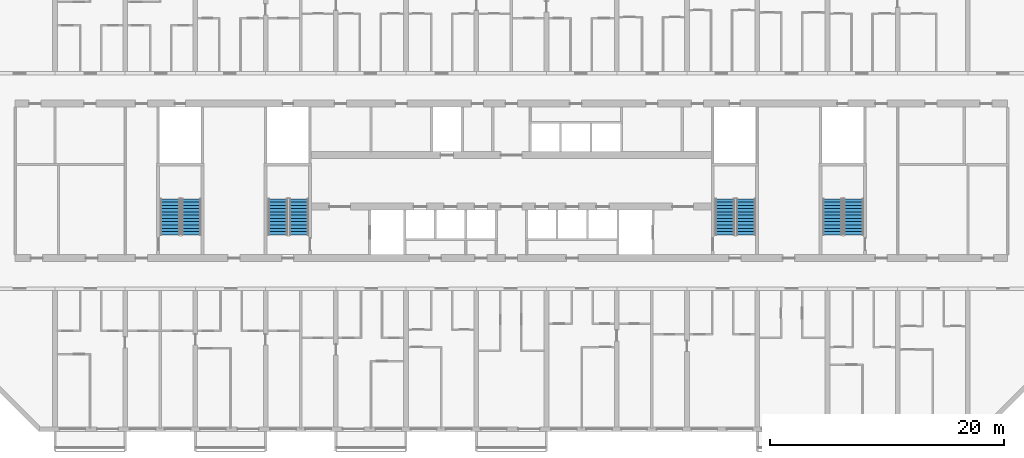
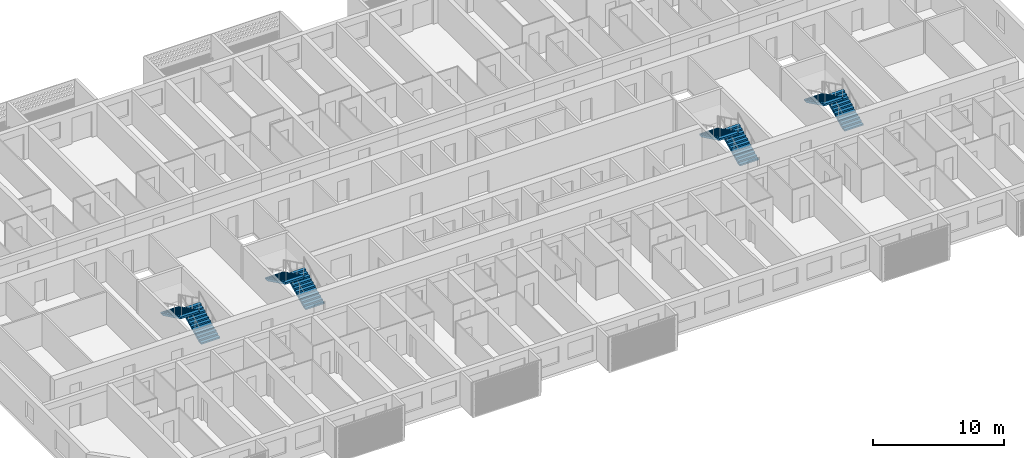
# One storey, part 17 of 39: 8 stair flights, 4 elements without a shape of their own.
"""IFC4 building model written with IfcOpenShell, lengths in metres."""

import ifcopenshell
import ifcopenshell.guid

model = None  # the IFC model being written
_history = None  # IfcOwnerHistory: only IFC2X3 demands one
_inside = {}  # id of a spatial element -> (the spatial element, [elements in it])
_under = {}  # id of a project, library or spatial element -> (it, [spatial elements below it])
_declared = {}  # id of a project -> (the project, [libraries it declares])
_typed = {}  # id of a type object -> (the type object, [elements of that type])
_made_of = {}  # id of a material, layer set ... -> (it, [elements and type objects made of it])


def new_model(schema):
    """Start an empty IFC model of exactly this schema.

    Asked for "IFC4X3", IfcOpenShell would pick the latest addendum, in which some entities
    have other attributes; the version numbers below select the first issue.
    IFC2X3 requires an IfcOwnerHistory on every rooted entity: one is made here for all.
    """
    global model, _history
    if schema == "IFC4X3":
        model = ifcopenshell.file(schema_version=(4, 3, 0, 0))
    else:
        model = ifcopenshell.file(schema=schema)
    _inside.clear()
    _under.clear()
    _declared.clear()
    _typed.clear()
    _made_of.clear()
    _history = None
    if model.schema == "IFC2X3":
        org = make("IfcOrganization", Name="unknown")
        user = make(
            "IfcPersonAndOrganization",
            ThePerson=make("IfcPerson", FamilyName="unknown"),
            TheOrganization=org,
        )
        app = make(
            "IfcApplication",
            ApplicationDeveloper=org,
            Version="unknown",
            ApplicationFullName="unknown",
            ApplicationIdentifier="unknown",
        )
        _history = make(
            "IfcOwnerHistory",
            OwningUser=user,
            OwningApplication=app,
            ChangeAction="ADDED",
            CreationDate=0,
        )
    return model


def make(cls, **values):
    """One entity of the class cls with the attributes given. An attribute that is None is left unset."""
    return model.create_entity(
        cls, **{name: value for name, value in values.items() if value is not None}
    )


def rooted(cls, **values):
    """An entity with a GlobalId (a new one), such as an element, a storey or a relation."""
    return make(cls, GlobalId=ifcopenshell.guid.new(), OwnerHistory=_history, **values)


def si_unit(unit_type, name, prefix=None):
    """IfcSIUnit, for example si_unit("LENGTHUNIT", "METRE", prefix="MILLI")."""
    return make("IfcSIUnit", UnitType=unit_type, Prefix=prefix, Name=name)


def assignment(units):
    """IfcUnitAssignment: the units of a project."""
    return None if units is None else make("IfcUnitAssignment", Units=units)


def point(xyz):
    """IfcCartesianPoint."""
    return None if xyz is None else make("IfcCartesianPoint", Coordinates=xyz)


def direction(xyz):
    """IfcDirection."""
    return None if xyz is None else make("IfcDirection", DirectionRatios=xyz)


def frame(location, z_axis=None, x_axis=None):
    """IfcAxis2Placement3D, a coordinate frame: its origin and axes. An axis left out is left unset."""
    return make(
        "IfcAxis2Placement3D",
        Location=point(location),
        Axis=direction(z_axis),
        RefDirection=direction(x_axis),
    )


def origin():
    """The frame at (0, 0, 0) with its axes left unset."""
    return frame((0.0, 0.0, 0.0))


def place(relative_to, where):
    """IfcLocalPlacement: puts the frame where relative to a parent placement (None: the world)."""
    return make(
        "IfcLocalPlacement", PlacementRelTo=relative_to, RelativePlacement=where
    )


def context(
    kind, dimensions, precision=None, world=None, true_north=None, identifier=None
):
    """IfcGeometricRepresentationContext, for example the 3D "Model" context."""
    return make(
        "IfcGeometricRepresentationContext",
        ContextIdentifier=identifier,
        ContextType=kind,
        CoordinateSpaceDimension=dimensions,
        Precision=precision,
        WorldCoordinateSystem=world,
        TrueNorth=true_north,
    )


def subcontext(parent, identifier, kind, view, scale=None):
    """IfcGeometricRepresentationSubContext, for example "Body" below "Model"."""
    return make(
        "IfcGeometricRepresentationSubContext",
        ContextIdentifier=identifier,
        ContextType=kind,
        ParentContext=parent,
        TargetScale=scale,
        TargetView=view,
    )


def project(units=None, contexts=None):
    """IfcProject with its units and contexts."""
    return rooted(
        "IfcProject",
        Name="project",
        RepresentationContexts=contexts,
        UnitsInContext=assignment(units),
    )


def spatial(cls, under=None, at=None, **own):
    """A site, building, storey or space (cls), placed at a placement, below another one or the project."""
    s = rooted(cls, ObjectPlacement=at, **own)
    if under is not None:
        _under.setdefault(under.id(), (under, []))[1].append(s)
    return s


def polyline(points):
    """IfcPolyline through the points."""
    return make("IfcPolyline", Points=[point(p) for p in points])


def outline(outer, holes=None, kind="AREA"):
    """IfcArbitraryClosedProfileDef: a profile drawn as a closed curve; with holes, ...WithVoids."""
    if holes is None:
        return make("IfcArbitraryClosedProfileDef", ProfileType=kind, OuterCurve=outer)
    return make(
        "IfcArbitraryProfileDefWithVoids",
        ProfileType=kind,
        OuterCurve=outer,
        InnerCurves=holes,
    )


def extrude(swept, where, along, depth):
    """IfcExtrudedAreaSolid: the profile swept, set in the frame where, extruded along a direction by depth."""
    return make(
        "IfcExtrudedAreaSolid",
        SweptArea=swept,
        Position=where,
        ExtrudedDirection=direction(along),
        Depth=depth,
    )


def shape(context_of_items, identifier, shape_type, items):
    """IfcShapeRepresentation: the items that make up one representation, for example the "Body"."""
    return make(
        "IfcShapeRepresentation",
        ContextOfItems=context_of_items,
        RepresentationIdentifier=identifier,
        RepresentationType=shape_type,
        Items=items,
    )


def material(Name=None, Category=None):
    """IfcMaterial."""
    return make("IfcMaterial", Name=Name, Category=Category)


def layer(
    of_material, thickness, ventilated=None, Name=None, Category=None, Priority=None
):
    """IfcMaterialLayer: one layer of a wall or slab, of a material (None: an air gap)."""
    return make(
        "IfcMaterialLayer",
        Material=of_material,
        LayerThickness=thickness,
        IsVentilated=ventilated,
        Name=Name,
        Category=Category,
        Priority=Priority,
    )


def layer_set(layers, Name=None):
    """IfcMaterialLayerSet."""
    return make("IfcMaterialLayerSet", MaterialLayers=layers, LayerSetName=Name)


def made_of(thing, what):
    """Note that an element or type object is made of a material, layer set ...; save() writes the relation."""
    if what is not None:
        _made_of.setdefault(what.id(), (what, []))[1].append(thing)
    return thing


def type_object(cls, material=None, **own):
    """A type object (cls), such as IfcWallType, which elements share."""
    return made_of(rooted(cls, **own), material)


def element(
    cls,
    number,
    at=None,
    inside=None,
    cuts=None,
    type_object=None,
    material=None,
    context=None,
    identifier="Body",
    shape_type=None,
    held_by="IfcProductDefinitionShape",
    body=None,
    shapes=None,
    **own,
):
    """One element of the class cls, such as IfcWall. Its Tag is "e" and its number.

    at: its placement. inside: the storey or other place that contains it. cuts: it is an
    opening in that element (IfcRelVoidsElement). A single representation is given by context,
    identifier, shape_type and body (its items); several are given by shapes. held_by: the class
    of the entity that holds the representations. save() writes the other relations.
    """
    e = rooted(cls, Tag="e%d" % number, ObjectPlacement=at, **own)
    if body is not None:
        shapes = [shape(context, identifier, shape_type, body)]
    if shapes is not None:
        e.Representation = make(held_by, Representations=shapes)
    if inside is not None:
        _inside.setdefault(inside.id(), (inside, []))[1].append(e)
    if cuts is not None:
        rooted(
            "IfcRelVoidsElement", RelatingBuildingElement=cuts, RelatedOpeningElement=e
        )
    if type_object is not None:
        _typed.setdefault(type_object.id(), (type_object, []))[1].append(e)
    return made_of(e, material)


def aggregate(whole, parts):
    """IfcRelAggregates: a whole, such as a stair, and the parts it consists of."""
    return rooted("IfcRelAggregates", RelatingObject=whole, RelatedObjects=parts)


def save(model, path):
    """Write the relations noted so far, then the file.

    IfcRelAggregates (storeys below a building ...), IfcRelContainedInSpatialStructure (elements
    in a storey), IfcRelDefinesByType, IfcRelAssociatesMaterial and IfcRelDeclares: one each for
    every whole, place, type object, material and project.
    """
    for whole, parts in _under.values():
        aggregate(whole, parts)
    for where, things in _inside.values():
        rooted(
            "IfcRelContainedInSpatialStructure",
            RelatedElements=things,
            RelatingStructure=where,
        )
    for kind, things in _typed.values():
        rooted("IfcRelDefinesByType", RelatedObjects=things, RelatingType=kind)
    for what, things in _made_of.values():
        rooted("IfcRelAssociatesMaterial", RelatedObjects=things, RelatingMaterial=what)
    for by, libraries in _declared.values():
        rooted("IfcRelDeclares", RelatingContext=by, RelatedDefinitions=libraries)
    model.write(path)


model = new_model("IFC4")

# Units and contexts
model_context = context("Model", 3, precision=1e-05, world=origin(), true_north=direction((0.0, 1.0)))
body_context = subcontext(model_context, "Body", "Model", "MODEL_VIEW")
ifc_project = project(units=[si_unit("LENGTHUNIT", "METRE"), si_unit("AREAUNIT", "SQUARE_METRE"), si_unit("VOLUMEUNIT", "CUBIC_METRE"), si_unit("PLANEANGLEUNIT", "RADIAN"), si_unit("MASSUNIT", "GRAM", prefix="KILO")], contexts=[model_context])

# Site, building, storey
site_placement = place(None, origin())
site = spatial("IfcSite", under=ifc_project, at=site_placement, CompositionType="ELEMENT")
building_placement = place(site_placement, origin())
building = spatial("IfcBuilding", under=site, at=building_placement, Name="Poui Terraces", CompositionType="ELEMENT")
storey_placement = place(building_placement, frame((0.0, 0.0, 59.699951171875)))
storey = spatial("IfcBuildingStorey", under=building, at=storey_placement, Name="L16", CompositionType="ELEMENT", Elevation=59.699951171875)

# Stair, stair flights
ifc_material = material(Name="Concrete 80 MPa", Category="concrete")
stair_type = type_object("IfcStairType", Name="EXIT STAIR 1650 80 MPA", PredefinedType="HALF_TURN_STAIR", material=ifc_material)
stair_1_placement = place(storey_placement, origin())
stair_1 = element("IfcStair", 1, at=stair_1_placement, inside=storey, type_object=stair_type, Name="L16 CORE STAIR EAST", PredefinedType="HALF_TURN_STAIR")
ifc_layer = layer(ifc_material, 0.14990234375)
ifc_layer_set = layer_set([ifc_layer], Name="Concrete 80 MPa")
stair_flight_type = type_object("IfcStairFlightType", Name="STAIR FLIGHT 12 RISERS 138 RISE 80 MPA", PredefinedType="STRAIGHT", material=ifc_layer_set)
stair_flight_1_placement = place(storey_placement, frame((71.050048828125, 16.60009765625, 0.0), z_axis=(0.0, 0.0, 1.0), x_axis=(0.0, 1.0, 0.0)))
stair_flight_1 = element("IfcStairFlight", 2, at=stair_flight_1_placement, type_object=stair_flight_type, Name="ST-CE flight 1", NumberOfRisers=12, NumberOfTreads=11, PredefinedType="STRAIGHT", RiserHeight=0.1375, TreadLength=0.28, context=body_context, shape_type="SweptSolid", body=[
    extrude(outline(polyline([(0.0, 0.0), (0.0, 0.137451171875), (0.280029296875, 0.137451171875), (0.280029296875, 0.27490234375), (0.56005859375, 0.27490234375), (0.56005859375, 0.41259765625), (0.840087890625, 0.41259765625), (0.840087890625, 0.550048828125), (1.1201171875, 0.550048828125), (1.1201171875, 0.6875), (1.39990234375, 0.6875), (1.39990234375, 0.824951171875), (1.679931640625, 0.824951171875), (1.679931640625, 0.96240234375), (1.9599609375, 0.96240234375), (1.9599609375, 1.10009765625), (2.239990234375, 1.10009765625), (2.239990234375, 1.237548828125), (2.52001953125, 1.237548828125), (2.52001953125, 1.375), (2.800048828125, 1.375), (2.800048828125, 1.512451171875), (3.080078125, 1.512451171875), (3.080078125, 1.64990234375), (3.080078125, 1.345458984375), (0.340087890625, 0.0), (0.0, 0.0)])), frame((0.0, 0.824951171875, 0.0), z_axis=(0.0, -1.0, 0.0), x_axis=(1.0, 0.0, 0.0)), (0.0, 0.0, 1.0), 1.64990234375),
])
stair_flight_2_placement = place(storey_placement, frame((69.25, 19.679931640625, 1.650146484375), z_axis=(0.0, 0.0, 1.0), x_axis=(0.0, -1.0, 0.0)))
stair_flight_2 = element("IfcStairFlight", 3, at=stair_flight_2_placement, type_object=stair_flight_type, Name="ST-CE flight 2", NumberOfRisers=12, NumberOfTreads=11, PredefinedType="STRAIGHT", RiserHeight=0.1375, TreadLength=0.28, context=body_context, shape_type="SweptSolid", body=[
    extrude(outline(polyline([(0.0, 0.0), (0.0, 0.137451171875), (0.280029296875, 0.137451171875), (0.280029296875, 0.27490234375), (0.56005859375, 0.27490234375), (0.56005859375, 0.41259765625), (0.840087890625, 0.41259765625), (0.840087890625, 0.550048828125), (1.1201171875, 0.550048828125), (1.1201171875, 0.6875), (1.39990234375, 0.6875), (1.39990234375, 0.824951171875), (1.679931640625, 0.824951171875), (1.679931640625, 0.96240234375), (1.9599609375, 0.96240234375), (1.9599609375, 1.10009765625), (2.239990234375, 1.10009765625), (2.239990234375, 1.237548828125), (2.52001953125, 1.237548828125), (2.52001953125, 1.375), (2.800048828125, 1.375), (2.800048828125, 1.512451171875), (3.080078125, 1.512451171875), (3.080078125, 1.64990234375), (3.080078125, 1.345458984375), (0.340087890625, 0.0), (0.0, 0.0)])), frame((0.0, 0.824951171875, 0.0), z_axis=(0.0, -1.0, 0.0), x_axis=(1.0, 0.0, 0.0)), (0.0, 0.0, 1.0), 1.64990234375),
])
aggregate(stair_1, [stair_flight_1, stair_flight_2])

stair_2_placement = place(storey_placement, origin())
stair_2 = element("IfcStair", 4, at=stair_2_placement, inside=storey, type_object=stair_type, Name="L16 CORE STAIR WEST", PredefinedType="HALF_TURN_STAIR")
stair_flight_3_placement = place(storey_placement, frame((32.85009765625, 16.60009765625, 0.0), z_axis=(0.0, 0.0, 1.0), x_axis=(0.0, 1.0, 0.0)))
stair_flight_3 = element("IfcStairFlight", 5, at=stair_flight_3_placement, type_object=stair_flight_type, Name="ST-CW flight 1", NumberOfRisers=12, NumberOfTreads=11, PredefinedType="STRAIGHT", RiserHeight=0.1375, TreadLength=0.28, context=body_context, shape_type="SweptSolid", body=[
    extrude(outline(polyline([(0.0, 0.0), (0.0, 0.137451171875), (0.280029296875, 0.137451171875), (0.280029296875, 0.27490234375), (0.56005859375, 0.27490234375), (0.56005859375, 0.41259765625), (0.840087890625, 0.41259765625), (0.840087890625, 0.550048828125), (1.1201171875, 0.550048828125), (1.1201171875, 0.6875), (1.39990234375, 0.6875), (1.39990234375, 0.824951171875), (1.679931640625, 0.824951171875), (1.679931640625, 0.96240234375), (1.9599609375, 0.96240234375), (1.9599609375, 1.10009765625), (2.239990234375, 1.10009765625), (2.239990234375, 1.237548828125), (2.52001953125, 1.237548828125), (2.52001953125, 1.375), (2.800048828125, 1.375), (2.800048828125, 1.512451171875), (3.080078125, 1.512451171875), (3.080078125, 1.64990234375), (3.080078125, 1.345458984375), (0.340087890625, 0.0), (0.0, 0.0)])), frame((0.0, 0.824951171875, 0.0), z_axis=(0.0, -1.0, 0.0), x_axis=(1.0, 0.0, 0.0)), (0.0, 0.0, 1.0), 1.64990234375),
])
stair_flight_4_placement = place(storey_placement, frame((31.050048828125, 19.679931640625, 1.650146484375), z_axis=(0.0, 0.0, 1.0), x_axis=(0.0, -1.0, 0.0)))
stair_flight_4 = element("IfcStairFlight", 6, at=stair_flight_4_placement, type_object=stair_flight_type, Name="ST-CW flight 2", NumberOfRisers=12, NumberOfTreads=11, PredefinedType="STRAIGHT", RiserHeight=0.1375, TreadLength=0.28, context=body_context, shape_type="SweptSolid", body=[
    extrude(outline(polyline([(0.0, 0.0), (0.0, 0.137451171875), (0.280029296875, 0.137451171875), (0.280029296875, 0.27490234375), (0.56005859375, 0.27490234375), (0.56005859375, 0.41259765625), (0.840087890625, 0.41259765625), (0.840087890625, 0.550048828125), (1.1201171875, 0.550048828125), (1.1201171875, 0.6875), (1.39990234375, 0.6875), (1.39990234375, 0.824951171875), (1.679931640625, 0.824951171875), (1.679931640625, 0.96240234375), (1.9599609375, 0.96240234375), (1.9599609375, 1.10009765625), (2.239990234375, 1.10009765625), (2.239990234375, 1.237548828125), (2.52001953125, 1.237548828125), (2.52001953125, 1.375), (2.800048828125, 1.375), (2.800048828125, 1.512451171875), (3.080078125, 1.512451171875), (3.080078125, 1.64990234375), (3.080078125, 1.345458984375), (0.340087890625, 0.0), (0.0, 0.0)])), frame((0.0, 0.824951171875, 0.0), z_axis=(0.0, -1.0, 0.0), x_axis=(1.0, 0.0, 0.0)), (0.0, 0.0, 1.0), 1.64990234375),
])
aggregate(stair_2, [stair_flight_3, stair_flight_4])

stair_3_placement = place(storey_placement, origin())
stair_3 = element("IfcStair", 7, at=stair_3_placement, inside=storey, type_object=stair_type, Name="L16 TIP STAIR EAST", PredefinedType="HALF_TURN_STAIR")
stair_flight_5_placement = place(storey_placement, frame((80.25, 16.60009765625, 0.0), z_axis=(0.0, 0.0, 1.0), x_axis=(0.0, 1.0, 0.0)))
stair_flight_5 = element("IfcStairFlight", 8, at=stair_flight_5_placement, type_object=stair_flight_type, Name="ST-E flight 1", NumberOfRisers=12, NumberOfTreads=11, PredefinedType="STRAIGHT", RiserHeight=0.1375, TreadLength=0.28, context=body_context, shape_type="SweptSolid", body=[
    extrude(outline(polyline([(0.0, 0.0), (0.0, 0.137451171875), (0.280029296875, 0.137451171875), (0.280029296875, 0.27490234375), (0.56005859375, 0.27490234375), (0.56005859375, 0.41259765625), (0.840087890625, 0.41259765625), (0.840087890625, 0.550048828125), (1.1201171875, 0.550048828125), (1.1201171875, 0.6875), (1.39990234375, 0.6875), (1.39990234375, 0.824951171875), (1.679931640625, 0.824951171875), (1.679931640625, 0.96240234375), (1.9599609375, 0.96240234375), (1.9599609375, 1.10009765625), (2.239990234375, 1.10009765625), (2.239990234375, 1.237548828125), (2.52001953125, 1.237548828125), (2.52001953125, 1.375), (2.800048828125, 1.375), (2.800048828125, 1.512451171875), (3.080078125, 1.512451171875), (3.080078125, 1.64990234375), (3.080078125, 1.345458984375), (0.340087890625, 0.0), (0.0, 0.0)])), frame((0.0, 0.824951171875, 0.0), z_axis=(0.0, -1.0, 0.0), x_axis=(1.0, 0.0, 0.0)), (0.0, 0.0, 1.0), 1.64990234375),
])
stair_flight_6_placement = place(storey_placement, frame((78.449951171875, 19.679931640625, 1.650146484375), z_axis=(0.0, 0.0, 1.0), x_axis=(0.0, -1.0, 0.0)))
stair_flight_6 = element("IfcStairFlight", 9, at=stair_flight_6_placement, type_object=stair_flight_type, Name="ST-E flight 2", NumberOfRisers=12, NumberOfTreads=11, PredefinedType="STRAIGHT", RiserHeight=0.1375, TreadLength=0.28, context=body_context, shape_type="SweptSolid", body=[
    extrude(outline(polyline([(0.0, 0.0), (0.0, 0.137451171875), (0.280029296875, 0.137451171875), (0.280029296875, 0.27490234375), (0.56005859375, 0.27490234375), (0.56005859375, 0.41259765625), (0.840087890625, 0.41259765625), (0.840087890625, 0.550048828125), (1.1201171875, 0.550048828125), (1.1201171875, 0.6875), (1.39990234375, 0.6875), (1.39990234375, 0.824951171875), (1.679931640625, 0.824951171875), (1.679931640625, 0.96240234375), (1.9599609375, 0.96240234375), (1.9599609375, 1.10009765625), (2.239990234375, 1.10009765625), (2.239990234375, 1.237548828125), (2.52001953125, 1.237548828125), (2.52001953125, 1.375), (2.800048828125, 1.375), (2.800048828125, 1.512451171875), (3.080078125, 1.512451171875), (3.080078125, 1.64990234375), (3.080078125, 1.345458984375), (0.340087890625, 0.0), (0.0, 0.0)])), frame((0.0, 0.824951171875, 0.0), z_axis=(0.0, -1.0, 0.0), x_axis=(1.0, 0.0, 0.0)), (0.0, 0.0, 1.0), 1.64990234375),
])
aggregate(stair_3, [stair_flight_5, stair_flight_6])

stair_4_placement = place(storey_placement, origin())
stair_4 = element("IfcStair", 10, at=stair_4_placement, inside=storey, type_object=stair_type, Name="L16 TIP STAIR WEST", PredefinedType="HALF_TURN_STAIR")
stair_flight_7_placement = place(storey_placement, frame((23.64990234375, 16.60009765625, 0.0), z_axis=(0.0, 0.0, 1.0), x_axis=(0.0, 1.0, 0.0)))
stair_flight_7 = element("IfcStairFlight", 11, at=stair_flight_7_placement, type_object=stair_flight_type, Name="ST-W flight 1", NumberOfRisers=12, NumberOfTreads=11, PredefinedType="STRAIGHT", RiserHeight=0.1375, TreadLength=0.28, context=body_context, shape_type="SweptSolid", body=[
    extrude(outline(polyline([(0.0, 0.0), (0.0, 0.137451171875), (0.280029296875, 0.137451171875), (0.280029296875, 0.27490234375), (0.56005859375, 0.27490234375), (0.56005859375, 0.41259765625), (0.840087890625, 0.41259765625), (0.840087890625, 0.550048828125), (1.1201171875, 0.550048828125), (1.1201171875, 0.6875), (1.39990234375, 0.6875), (1.39990234375, 0.824951171875), (1.679931640625, 0.824951171875), (1.679931640625, 0.96240234375), (1.9599609375, 0.96240234375), (1.9599609375, 1.10009765625), (2.239990234375, 1.10009765625), (2.239990234375, 1.237548828125), (2.52001953125, 1.237548828125), (2.52001953125, 1.375), (2.800048828125, 1.375), (2.800048828125, 1.512451171875), (3.080078125, 1.512451171875), (3.080078125, 1.64990234375), (3.080078125, 1.345458984375), (0.340087890625, 0.0), (0.0, 0.0)])), frame((0.0, 0.824951171875, 0.0), z_axis=(0.0, -1.0, 0.0), x_axis=(1.0, 0.0, 0.0)), (0.0, 0.0, 1.0), 1.64990234375),
])
stair_flight_8_placement = place(storey_placement, frame((21.85009765625, 19.679931640625, 1.650146484375), z_axis=(0.0, 0.0, 1.0), x_axis=(0.0, -1.0, 0.0)))
stair_flight_8 = element("IfcStairFlight", 12, at=stair_flight_8_placement, type_object=stair_flight_type, Name="ST-W flight 2", NumberOfRisers=12, NumberOfTreads=11, PredefinedType="STRAIGHT", RiserHeight=0.1375, TreadLength=0.28, context=body_context, shape_type="SweptSolid", body=[
    extrude(outline(polyline([(0.0, 0.0), (0.0, 0.137451171875), (0.280029296875, 0.137451171875), (0.280029296875, 0.27490234375), (0.56005859375, 0.27490234375), (0.56005859375, 0.41259765625), (0.840087890625, 0.41259765625), (0.840087890625, 0.550048828125), (1.1201171875, 0.550048828125), (1.1201171875, 0.6875), (1.39990234375, 0.6875), (1.39990234375, 0.824951171875), (1.679931640625, 0.824951171875), (1.679931640625, 0.96240234375), (1.9599609375, 0.96240234375), (1.9599609375, 1.10009765625), (2.239990234375, 1.10009765625), (2.239990234375, 1.237548828125), (2.52001953125, 1.237548828125), (2.52001953125, 1.375), (2.800048828125, 1.375), (2.800048828125, 1.512451171875), (3.080078125, 1.512451171875), (3.080078125, 1.64990234375), (3.080078125, 1.345458984375), (0.340087890625, 0.0), (0.0, 0.0)])), frame((0.0, 0.824951171875, 0.0), z_axis=(0.0, -1.0, 0.0), x_axis=(1.0, 0.0, 0.0)), (0.0, 0.0, 1.0), 1.64990234375),
])
aggregate(stair_4, [stair_flight_7, stair_flight_8])

save(model, "model.ifc")
